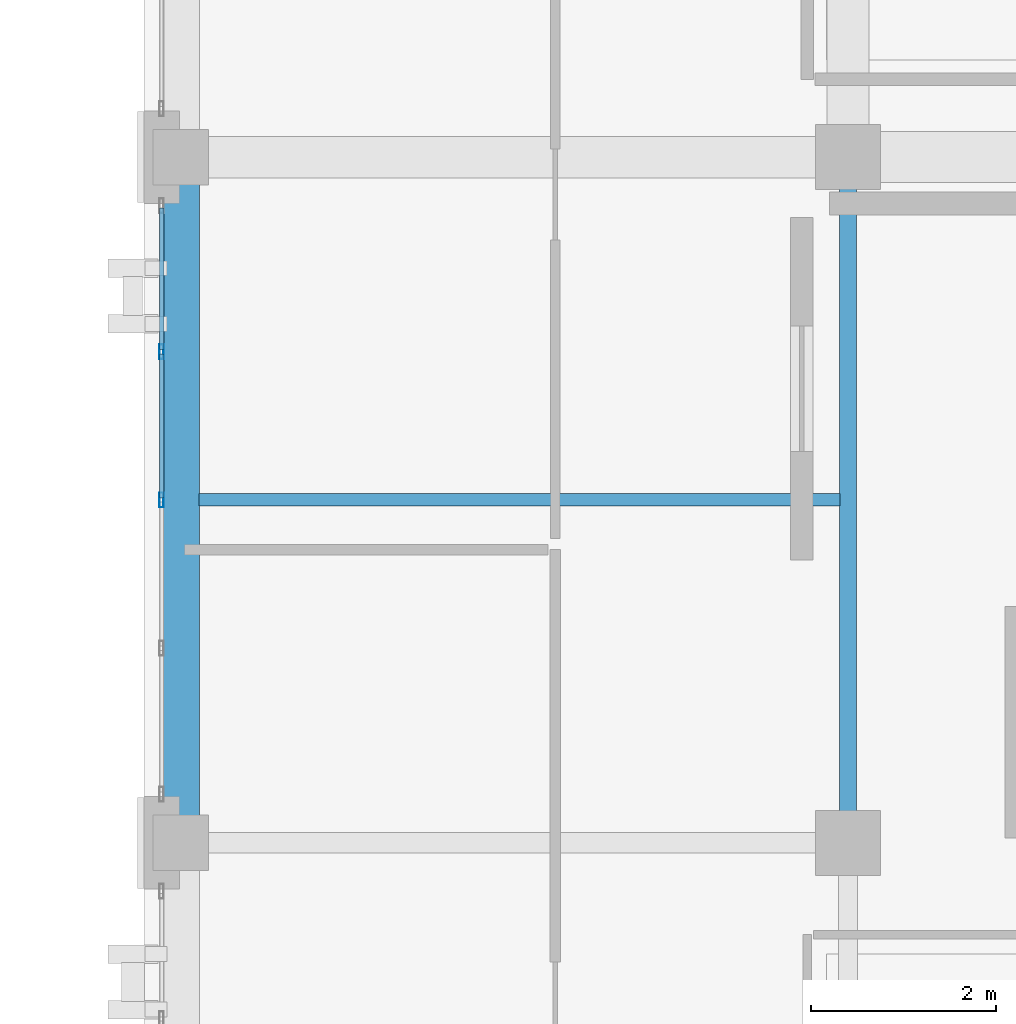
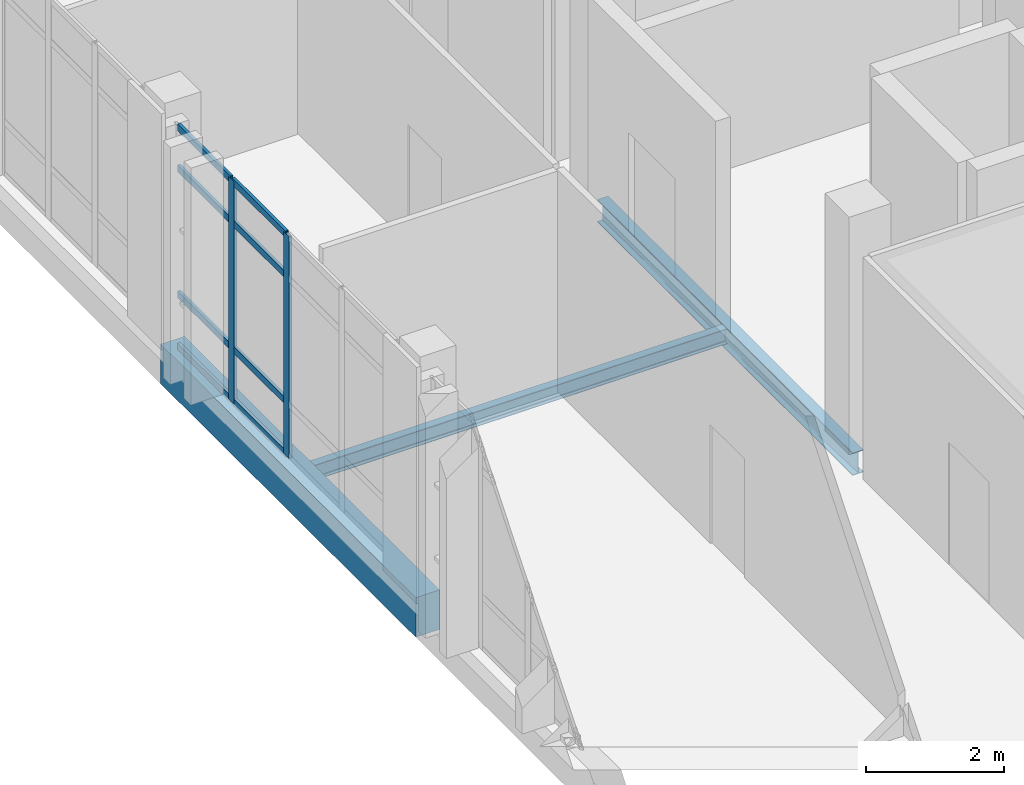
# One storey, part 22 of 90: 10 members, 3 beams, 1 element without a shape of its own.
"""IFC4 building model written with IfcOpenShell, lengths in metres."""

from ifc_helpers import new_model, si_unit, direction, frame, origin, origin_2d, place, context, subcontext, project, spatial, rectangle, hollow_rectangle, i_section, extrude, material, layer, layer_set, material_profile, profile_set, type_object, element, aggregate, save


model = new_model("IFC4")

# Units and contexts
model_context = context("Model", 3, precision=1e-05, world=origin(), true_north=direction((0.0, 1.0)))
body_context = subcontext(model_context, "Body", "Model", "MODEL_VIEW")
ifc_project = project(units=[si_unit("LENGTHUNIT", "METRE"), si_unit("AREAUNIT", "SQUARE_METRE"), si_unit("VOLUMEUNIT", "CUBIC_METRE"), si_unit("PLANEANGLEUNIT", "RADIAN"), si_unit("MASSUNIT", "GRAM", prefix="KILO")], contexts=[model_context])

# Site, building, storey
site_placement = place(None, origin())
site = spatial("IfcSite", under=ifc_project, at=site_placement, CompositionType="ELEMENT")
building_placement = place(site_placement, origin())
building = spatial("IfcBuilding", under=site, at=building_placement, Name="Qalavern Law Courts", CompositionType="ELEMENT")
storey_placement = place(building_placement, frame((0.0, 0.0, 22.800048828125)))
storey = spatial("IfcBuildingStorey", under=building, at=storey_placement, Name="L05", CompositionType="ELEMENT", Elevation=22.800048828125)

# Curtain wall, members
ifc_material_1 = material(Name="Anodised aluminium and insulated glazing", Category="aluminium")
ifc_layer = layer(ifc_material_1, 0.159912109375)
ifc_layer_set = layer_set([ifc_layer], Name="Anodised aluminium and insulated glazing")
curtain_wall_type = type_object("IfcCurtainWallType", Name="ENV-CW-CHAMB", PredefinedType="USERDEFINED", material=ifc_layer_set)
curtain_wall_placement = place(storey_placement, origin())
curtain_wall = element("IfcCurtainWall", 1, at=curtain_wall_placement, inside=storey, type_object=curtain_wall_type, Name="V4 unitised curtain wall L05 west 3", ObjectType="UNITISED CURTAIN WALL", PredefinedType="USERDEFINED")
ifc_material_2 = material(Name="Anodised aluminium", Category="aluminium")
ifc_material_profile_1 = material_profile(ifc_material_2, hollow_rectangle(XDim=0.048095703125, YDim=0.159912109375, WallThickness=0.00390625, at=origin_2d()), Name="ALU MULLION 48x160")
ifc_profile_set_1 = profile_set([ifc_material_profile_1], Name="Anodised aluminium")
member_type_1 = type_object("IfcMemberType", Name="ENV-CWM-48x160", PredefinedType="MULLION", material=ifc_profile_set_1)
member_1_placement = place(storey_placement, frame((84.392578125, 70.699951171875, 0.0), z_axis=(0.0, 0.0, 1.0), x_axis=(1.0, 0.0, 0.0)))
member_1 = element("IfcMember", 2, at=member_1_placement, type_object=member_type_1, Name="CW-04 mullion 2", PredefinedType="MULLION", context=body_context, shape_type="SweptSolid", body=[
    extrude(hollow_rectangle(XDim=0.048095703125, YDim=0.159912109375, WallThickness=0.00390625, at=origin_2d()), origin(), (0.0, 0.0, 1.0), 3.929931640625),
])
member_2_placement = place(storey_placement, frame((84.392578125, 69.10009765625, 0.0), z_axis=(0.0, 0.0, 1.0), x_axis=(1.0, 0.0, 0.0)))
member_2 = element("IfcMember", 3, at=member_2_placement, type_object=member_type_1, Name="CW-04 mullion 3", PredefinedType="MULLION", context=body_context, shape_type="SweptSolid", body=[
    extrude(hollow_rectangle(XDim=0.048095703125, YDim=0.159912109375, WallThickness=0.00390625, at=origin_2d()), origin(), (0.0, 0.0, 1.0), 3.929931640625),
])
ifc_material_profile_2 = material_profile(ifc_material_2, hollow_rectangle(XDim=0.048095703125, YDim=0.1201171875, WallThickness=0.00390625, at=origin_2d()), Name="ALU TRANSOM 48x120")
ifc_profile_set_2 = profile_set([ifc_material_profile_2], Name="Anodised aluminium")
member_type_2 = type_object("IfcMemberType", Name="ENV-CWT-48x120", PredefinedType="USERDEFINED", material=ifc_profile_set_2)
member_3_placement = place(storey_placement, frame((84.392578125, 72.251953125, 0.02392578125), z_axis=(0.0, -1.0, 0.0), x_axis=(1.0, 0.0, 0.0)))
member_3 = element("IfcMember", 4, at=member_3_placement, type_object=member_type_2, Name="CW-04 transom 1.1", ObjectType="TRANSOM", PredefinedType="USERDEFINED", context=body_context, shape_type="SweptSolid", body=[
    extrude(hollow_rectangle(XDim=0.048095703125, YDim=0.1201171875, WallThickness=0.00390625, at=origin_2d()), origin(), (0.0, 0.0, 1.0), 1.52783203125),
])
member_4_placement = place(storey_placement, frame((84.392578125, 72.251953125, 0.949951171875), z_axis=(0.0, -1.0, 0.0), x_axis=(1.0, 0.0, 0.0)))
member_4 = element("IfcMember", 5, at=member_4_placement, type_object=member_type_2, Name="CW-04 transom 1.2", ObjectType="TRANSOM", PredefinedType="USERDEFINED", context=body_context, shape_type="SweptSolid", body=[
    extrude(hollow_rectangle(XDim=0.048095703125, YDim=0.1201171875, WallThickness=0.00390625, at=origin_2d()), origin(), (0.0, 0.0, 1.0), 1.52783203125),
])
member_5_placement = place(storey_placement, frame((84.392578125, 72.251953125, 3.179931640625), z_axis=(0.0, -1.0, 0.0), x_axis=(1.0, 0.0, 0.0)))
member_5 = element("IfcMember", 6, at=member_5_placement, type_object=member_type_2, Name="CW-04 transom 1.3", ObjectType="TRANSOM", PredefinedType="USERDEFINED", context=body_context, shape_type="SweptSolid", body=[
    extrude(hollow_rectangle(XDim=0.048095703125, YDim=0.1201171875, WallThickness=0.00390625, at=origin_2d()), origin(), (0.0, 0.0, 1.0), 1.52783203125),
])
member_6_placement = place(storey_placement, frame((84.392578125, 72.251953125, 3.906005859375), z_axis=(0.0, -1.0, 0.0), x_axis=(1.0, 0.0, 0.0)))
member_6 = element("IfcMember", 7, at=member_6_placement, type_object=member_type_2, Name="CW-04 transom 1.4", ObjectType="TRANSOM", PredefinedType="USERDEFINED", context=body_context, shape_type="SweptSolid", body=[
    extrude(hollow_rectangle(XDim=0.048095703125, YDim=0.1201171875, WallThickness=0.00390625, at=origin_2d()), origin(), (0.0, 0.0, 1.0), 1.52783203125),
])
member_7_placement = place(storey_placement, frame((84.392578125, 70.676025390625, 0.02392578125), z_axis=(0.0, -1.0, 0.0), x_axis=(1.0, 0.0, 0.0)))
member_7 = element("IfcMember", 8, at=member_7_placement, type_object=member_type_2, Name="CW-04 transom 2.1", ObjectType="TRANSOM", PredefinedType="USERDEFINED", context=body_context, shape_type="SweptSolid", body=[
    extrude(hollow_rectangle(XDim=0.048095703125, YDim=0.1201171875, WallThickness=0.00390625, at=origin_2d()), origin(), (0.0, 0.0, 1.0), 1.552001953125),
])
member_8_placement = place(storey_placement, frame((84.392578125, 70.676025390625, 0.949951171875), z_axis=(0.0, -1.0, 0.0), x_axis=(1.0, 0.0, 0.0)))
member_8 = element("IfcMember", 9, at=member_8_placement, type_object=member_type_2, Name="CW-04 transom 2.2", ObjectType="TRANSOM", PredefinedType="USERDEFINED", context=body_context, shape_type="SweptSolid", body=[
    extrude(hollow_rectangle(XDim=0.048095703125, YDim=0.1201171875, WallThickness=0.00390625, at=origin_2d()), origin(), (0.0, 0.0, 1.0), 1.552001953125),
])
member_9_placement = place(storey_placement, frame((84.392578125, 70.676025390625, 3.179931640625), z_axis=(0.0, -1.0, 0.0), x_axis=(1.0, 0.0, 0.0)))
member_9 = element("IfcMember", 10, at=member_9_placement, type_object=member_type_2, Name="CW-04 transom 2.3", ObjectType="TRANSOM", PredefinedType="USERDEFINED", context=body_context, shape_type="SweptSolid", body=[
    extrude(hollow_rectangle(XDim=0.048095703125, YDim=0.1201171875, WallThickness=0.00390625, at=origin_2d()), origin(), (0.0, 0.0, 1.0), 1.552001953125),
])
member_10_placement = place(storey_placement, frame((84.392578125, 70.676025390625, 3.906005859375), z_axis=(0.0, -1.0, 0.0), x_axis=(1.0, 0.0, 0.0)))
member_10 = element("IfcMember", 11, at=member_10_placement, type_object=member_type_2, Name="CW-04 transom 2.4", ObjectType="TRANSOM", PredefinedType="USERDEFINED", context=body_context, shape_type="SweptSolid", body=[
    extrude(hollow_rectangle(XDim=0.048095703125, YDim=0.1201171875, WallThickness=0.00390625, at=origin_2d()), origin(), (0.0, 0.0, 1.0), 1.552001953125),
])
aggregate(curtain_wall, [member_1, member_2, member_3, member_4, member_5, member_6, member_7, member_8, member_9, member_10])

# Beams
ifc_material_3 = material(Name="Steel S355", Category="steel")
ifc_material_profile_3 = material_profile(ifc_material_3, i_section(OverallWidth=0.179931640625, OverallDepth=0.39990234375, WebThickness=0.008544921875, FlangeThickness=0.013427734375, FilletRadius=0.02099609375, at=origin_2d()), Name="IPE 400")
ifc_profile_set_3 = profile_set([ifc_material_profile_3], Name="Steel S355")
beam_type_1 = type_object("IfcBeamType", Name="STR-BM-IPE400", PredefinedType="BEAM", material=ifc_profile_set_3)
beam_1_placement = place(storey_placement, frame((91.800048828125, 65.39990234375, -0.47509765625), z_axis=(0.0, 1.0, 0.0), x_axis=(-1.0, 0.0, 0.0)))
element("IfcBeam", 12, at=beam_1_placement, inside=storey, type_object=beam_type_1, Name="V4 Y-beam 2-3 L05", PredefinedType="BEAM", context=body_context, shape_type="SweptSolid", body=[
    extrude(i_section(OverallWidth=0.179931640625, OverallDepth=0.39990234375, WebThickness=0.008544921875, FlangeThickness=0.013427734375, FilletRadius=0.02099609375, at=origin_2d()), origin(), (0.0, 0.0, 1.0), 7.400146484375),
])
ifc_material_profile_4 = material_profile(ifc_material_3, i_section(OverallWidth=0.135009765625, OverallDepth=0.27001953125, WebThickness=0.006591796875, FlangeThickness=0.01025390625, FilletRadius=0.014892578125, at=origin_2d()), Name="IPE 270")
ifc_profile_set_4 = profile_set([ifc_material_profile_4], Name="Steel S355")
beam_type_2 = type_object("IfcBeamType", Name="STR-JST-IPE270", PredefinedType="JOIST", material=ifc_profile_set_4)
beam_2_placement = place(storey_placement, frame((84.798095703125, 69.10009765625, -0.41015625), z_axis=(1.0, 0.0, 0.0), x_axis=(0.0, 1.0, 0.0)))
element("IfcBeam", 13, at=beam_2_placement, inside=storey, type_object=beam_type_2, Name="V4 secondary joist 1.4.1 L05", PredefinedType="JOIST", context=body_context, shape_type="SweptSolid", body=[
    extrude(i_section(OverallWidth=0.135009765625, OverallDepth=0.27001953125, WebThickness=0.006591796875, FlangeThickness=0.01025390625, FilletRadius=0.014892578125, at=origin_2d()), origin(), (0.0, 0.0, 1.0), 6.913818359375),
])
ifc_material_4 = material(Name="Concrete C40/50", Category="concrete")
ifc_material_profile_5 = material_profile(ifc_material_4, rectangle(XDim=0.39990234375, YDim=0.699951171875, at=origin_2d()), Name="RC 400x700")
ifc_profile_set_5 = profile_set([ifc_material_profile_5], Name="Concrete C40/50")
beam_type_3 = type_object("IfcBeamType", Name="STR-SP-RC400x700", PredefinedType="SPANDREL", material=ifc_profile_set_5)
beam_3_placement = place(storey_placement, frame((84.60009765625, 65.39990234375, -0.625), z_axis=(0.0, 1.0, 0.0), x_axis=(-1.0, 0.0, 0.0)))
element("IfcBeam", 14, at=beam_3_placement, inside=storey, type_object=beam_type_3, Name="V4 Y-beam 1-4 L05", PredefinedType="SPANDREL", context=body_context, shape_type="SweptSolid", body=[
    extrude(rectangle(XDim=0.39990234375, YDim=0.699951171875, at=origin_2d()), origin(), (0.0, 0.0, 1.0), 7.400146484375),
])

save(model, "model.ifc")
